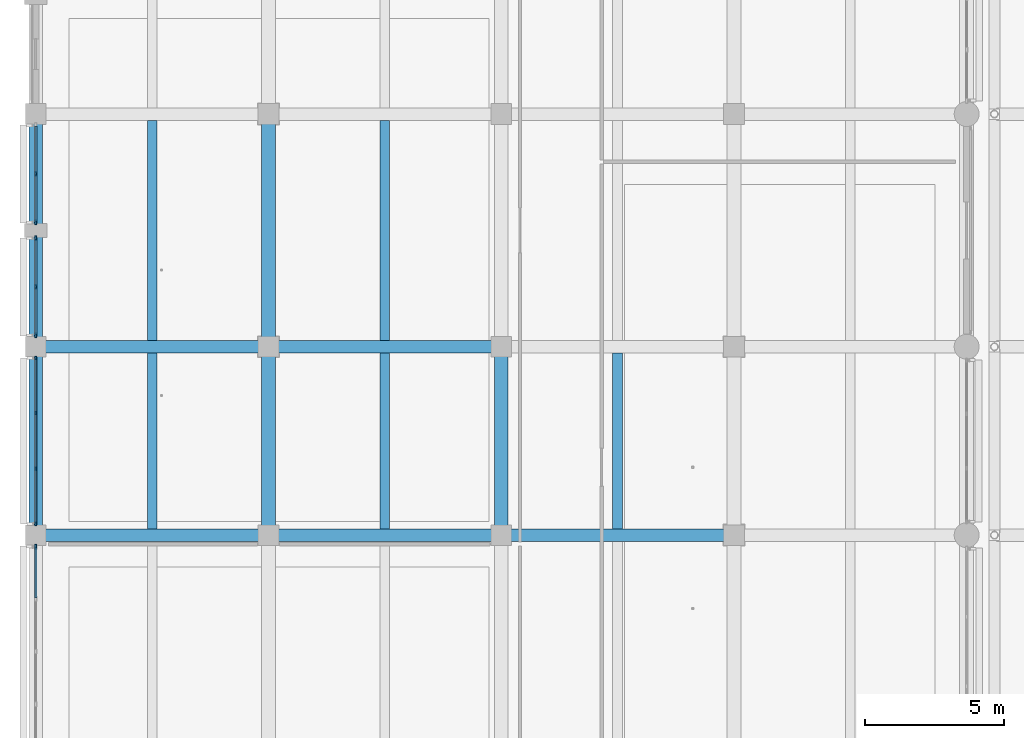
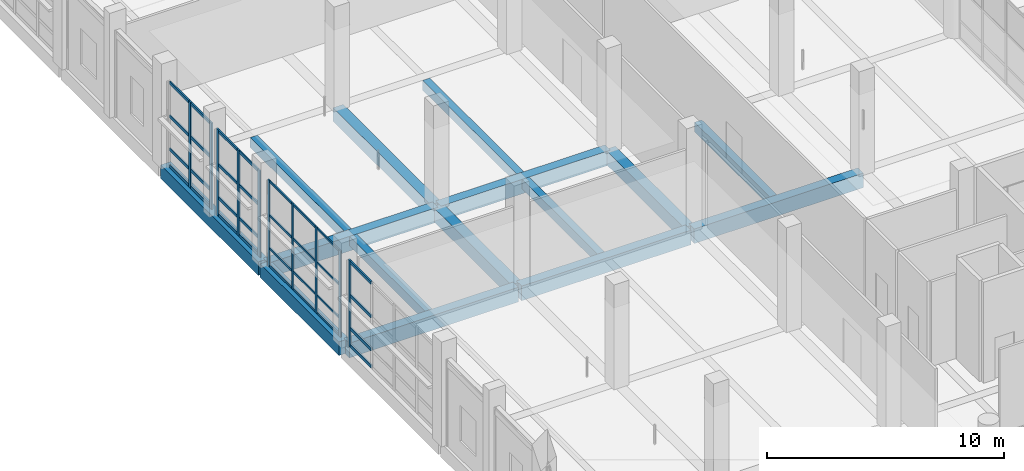
# One storey, part 23 of 140: 42 members, 15 beams, 4 elements without a shape of their own.
"""IFC4 building model written with IfcOpenShell, lengths in metres."""

from ifc_helpers import new_model, si_unit, direction, frame, origin, origin_2d, place, context, subcontext, project, spatial, rectangle, extrude, material, layer, layer_set, material_profile, profile_set, type_object, element, aggregate, save


model = new_model("IFC4")

# Units and contexts
model_context = context("Model", 3, precision=1e-05, world=origin(), true_north=direction((0.0, 1.0)))
body_context = subcontext(model_context, "Body", "Model", "MODEL_VIEW")
ifc_project = project(units=[si_unit("LENGTHUNIT", "METRE"), si_unit("AREAUNIT", "SQUARE_METRE"), si_unit("VOLUMEUNIT", "CUBIC_METRE"), si_unit("PLANEANGLEUNIT", "RADIAN"), si_unit("MASSUNIT", "GRAM", prefix="KILO")], contexts=[model_context])

# Site, building, storey
site_placement = place(None, origin())
site = spatial("IfcSite", under=ifc_project, at=site_placement, CompositionType="ELEMENT")
building_placement = place(site_placement, origin())
building = spatial("IfcBuilding", under=site, at=building_placement, Name="Telukmera Botanical Conservatory", CompositionType="ELEMENT")
storey_placement = place(building_placement, origin())
storey = spatial("IfcBuildingStorey", under=building, at=storey_placement, Name="L00", CompositionType="ELEMENT", Elevation=0.0)

# Beams
ifc_material_1 = material(Name="Concrete C40/50", Category="concrete")
ifc_material_profile_1 = material_profile(ifc_material_1, rectangle(XDim=0.5, YDim=0.699951171875, at=origin_2d()), Name="RC 500x700")
ifc_profile_set_1 = profile_set([ifc_material_profile_1], Name="Concrete C40/50")
beam_type_1 = type_object("IfcBeamType", Name="Beam_B14", PredefinedType="BEAM", material=ifc_profile_set_1)
beam_1_placement = place(storey_placement, frame((8.39990234375, 42.8798828125, -0.35009765625), z_axis=(0.0, 1.0, 0.0), x_axis=(-1.0, 0.0, 0.0)))
element("IfcBeam", 1, at=beam_1_placement, inside=storey, type_object=beam_type_1, Name="Visitor Wing Transverse Beam L00", PredefinedType="BEAM", context=body_context, shape_type="SweptSolid", body=[
    extrude(rectangle(XDim=0.5, YDim=0.699951171875, at=origin_2d()), origin(), (0.0, 0.0, 1.0), 6.64013671875),
])
beam_2_placement = place(storey_placement, frame((8.39990234375, 49.679931640625, -0.35009765625), z_axis=(0.0, 1.0, 0.0), x_axis=(-1.0, 0.0, 0.0)))
element("IfcBeam", 2, at=beam_2_placement, inside=storey, type_object=beam_type_1, Name="Visitor Wing Transverse Beam L00", PredefinedType="BEAM", context=body_context, shape_type="SweptSolid", body=[
    extrude(rectangle(XDim=0.5, YDim=0.699951171875, at=origin_2d()), origin(), (0.0, 0.0, 1.0), 8.239990234375),
])
beam_3_placement = place(storey_placement, frame((16.800048828125, 42.8798828125, -0.35009765625), z_axis=(0.0, 1.0, 0.0), x_axis=(-1.0, 0.0, 0.0)))
element("IfcBeam", 3, at=beam_3_placement, inside=storey, type_object=beam_type_1, Name="Visitor Wing Transverse Beam L00", PredefinedType="BEAM", context=body_context, shape_type="SweptSolid", body=[
    extrude(rectangle(XDim=0.5, YDim=0.699951171875, at=origin_2d()), origin(), (0.0, 0.0, 1.0), 6.64013671875),
])
beam_4_placement = place(storey_placement, frame((16.800048828125, 49.679931640625, -0.35009765625), z_axis=(0.0, 1.0, 0.0), x_axis=(-1.0, 0.0, 0.0)))
element("IfcBeam", 4, at=beam_4_placement, inside=storey, type_object=beam_type_1, Name="Visitor Wing Transverse Beam L00", PredefinedType="BEAM", context=body_context, shape_type="SweptSolid", body=[
    extrude(rectangle(XDim=0.5, YDim=0.699951171875, at=origin_2d()), origin(), (0.0, 0.0, 1.0), 8.239990234375),
])
beam_5_placement = place(storey_placement, frame((25.199951171875, 42.8798828125, -0.35009765625), z_axis=(0.0, 1.0, 0.0), x_axis=(-1.0, 0.0, 0.0)))
element("IfcBeam", 5, at=beam_5_placement, inside=storey, type_object=beam_type_1, Name="Visitor Wing Transverse Beam L00", PredefinedType="BEAM", context=body_context, shape_type="SweptSolid", body=[
    extrude(rectangle(XDim=0.5, YDim=0.699951171875, at=origin_2d()), origin(), (0.0, 0.0, 1.0), 6.64013671875),
])
ifc_material_profile_2 = material_profile(ifc_material_1, rectangle(XDim=0.35009765625, YDim=0.5, at=origin_2d()), Name="RC 350x500")
ifc_profile_set_2 = profile_set([ifc_material_profile_2], Name="Concrete C40/50")
beam_type_2 = type_object("IfcBeamType", Name="Beam_B22", PredefinedType="JOIST", material=ifc_profile_set_2)
beam_6_placement = place(storey_placement, frame((12.60009765625, 43.02490234375, -0.25), z_axis=(0.0, 1.0, 0.0), x_axis=(-1.0, 0.0, 0.0)))
element("IfcBeam", 6, at=beam_6_placement, inside=storey, type_object=beam_type_2, Name="Visitor Wing Floor Joist L00", PredefinedType="JOIST", context=body_context, shape_type="SweptSolid", body=[
    extrude(rectangle(XDim=0.35009765625, YDim=0.5, at=origin_2d()), origin(), (0.0, 0.0, 1.0), 6.35009765625),
])
beam_7_placement = place(storey_placement, frame((12.60009765625, 49.824951171875, -0.25), z_axis=(0.0, 1.0, 0.0), x_axis=(-1.0, 0.0, 0.0)))
element("IfcBeam", 7, at=beam_7_placement, inside=storey, type_object=beam_type_2, Name="Visitor Wing Floor Joist L00", PredefinedType="JOIST", context=body_context, shape_type="SweptSolid", body=[
    extrude(rectangle(XDim=0.35009765625, YDim=0.5, at=origin_2d()), origin(), (0.0, 0.0, 1.0), 7.949951171875),
])
beam_8_placement = place(storey_placement, frame((21.0, 43.02490234375, -0.25), z_axis=(0.0, 1.0, 0.0), x_axis=(-1.0, 0.0, 0.0)))
element("IfcBeam", 8, at=beam_8_placement, inside=storey, type_object=beam_type_2, Name="Visitor Wing Floor Joist L00", PredefinedType="JOIST", context=body_context, shape_type="SweptSolid", body=[
    extrude(rectangle(XDim=0.35009765625, YDim=0.5, at=origin_2d()), origin(), (0.0, 0.0, 1.0), 6.35009765625),
])
beam_9_placement = place(storey_placement, frame((21.0, 49.824951171875, -0.25), z_axis=(0.0, 1.0, 0.0), x_axis=(-1.0, 0.0, 0.0)))
element("IfcBeam", 9, at=beam_9_placement, inside=storey, type_object=beam_type_2, Name="Visitor Wing Floor Joist L00", PredefinedType="JOIST", context=body_context, shape_type="SweptSolid", body=[
    extrude(rectangle(XDim=0.35009765625, YDim=0.5, at=origin_2d()), origin(), (0.0, 0.0, 1.0), 7.949951171875),
])
beam_10_placement = place(storey_placement, frame((29.39990234375, 43.02490234375, -0.25), z_axis=(0.0, 1.0, 0.0), x_axis=(-1.0, 0.0, 0.0)))
element("IfcBeam", 10, at=beam_10_placement, inside=storey, type_object=beam_type_2, Name="Visitor Wing Floor Joist L00", PredefinedType="JOIST", context=body_context, shape_type="SweptSolid", body=[
    extrude(rectangle(XDim=0.35009765625, YDim=0.5, at=origin_2d()), origin(), (0.0, 0.0, 1.0), 6.35009765625),
])
ifc_material_profile_3 = material_profile(ifc_material_1, rectangle(XDim=0.449951171875, YDim=0.75, at=origin_2d()), Name="RC 450x750")
ifc_profile_set_3 = profile_set([ifc_material_profile_3], Name="Concrete C40/50")
beam_type_3 = type_object("IfcBeamType", Name="Beam_B6", PredefinedType="BEAM", material=ifc_profile_set_3)
beam_11_placement = place(storey_placement, frame((8.47998046875, 42.800048828125, -0.375), z_axis=(1.0, 0.0, 0.0), x_axis=(0.0, 1.0, 0.0)))
element("IfcBeam", 11, at=beam_11_placement, inside=storey, type_object=beam_type_3, Name="Visitor Wing Grid Beam L00", PredefinedType="BEAM", context=body_context, shape_type="SweptSolid", body=[
    extrude(rectangle(XDim=0.449951171875, YDim=0.75, at=origin_2d()), origin(), (0.0, 0.0, 1.0), 8.239990234375),
])
beam_12_placement = place(storey_placement, frame((16.8798828125, 42.800048828125, -0.375), z_axis=(1.0, 0.0, 0.0), x_axis=(0.0, 1.0, 0.0)))
element("IfcBeam", 12, at=beam_12_placement, inside=storey, type_object=beam_type_3, Name="Visitor Wing Grid Beam L00", PredefinedType="BEAM", context=body_context, shape_type="SweptSolid", body=[
    extrude(rectangle(XDim=0.449951171875, YDim=0.75, at=origin_2d()), origin(), (0.0, 0.0, 1.0), 8.240234375),
])
for number, where, z_axis, x_axis, name in (
    (13, (25.280029296875, 42.800048828125, -0.375), (1.0, 0.0, 0.0), (0.0, 1.0, 0.0), "Visitor Wing Grid Beam L00"),
    (14, (8.47998046875, 49.60009765625, -0.375), (1.0, 0.0, 0.0), (0.0, 1.0, 0.0), "Visitor Wing Grid Beam L00"),
):
    element("IfcBeam", number, at=place(storey_placement, frame(where, z_axis=z_axis, x_axis=x_axis)), inside=storey, type_object=beam_type_3, Name=name, PredefinedType="BEAM", context=body_context, shape_type="SweptSolid", body=[
        extrude(rectangle(XDim=0.449951171875, YDim=0.75, at=origin_2d()), origin(), (0.0, 0.0, 1.0), 8.239990234375),
    ])
beam_13_placement = place(storey_placement, frame((16.8798828125, 49.60009765625, -0.375), z_axis=(1.0, 0.0, 0.0), x_axis=(0.0, 1.0, 0.0)))
element("IfcBeam", 15, at=beam_13_placement, inside=storey, type_object=beam_type_3, Name="Visitor Wing Grid Beam L00", PredefinedType="BEAM", context=body_context, shape_type="SweptSolid", body=[
    extrude(rectangle(XDim=0.449951171875, YDim=0.75, at=origin_2d()), origin(), (0.0, 0.0, 1.0), 8.240234375),
])

# Curtain wall, members
ifc_material_2 = material(Name="Anodised aluminium 6063-T6", Category="aluminium")
ifc_layer_1 = layer(ifc_material_2, 0.179931640625)
ifc_layer_set_1 = layer_set([ifc_layer_1], Name="Anodised aluminium 6063-T6")
curtain_wall_type_1 = type_object("IfcCurtainWallType", Name="Visitor Courtyard Narrow Bay Curtain Wall", PredefinedType="USERDEFINED", material=ifc_layer_set_1)
curtain_wall_1_placement = place(storey_placement, origin())
curtain_wall_1 = element("IfcCurtainWall", 16, at=curtain_wall_1_placement, inside=storey, type_object=curtain_wall_type_1, Name="Unitised Curtain Wall CW10 V3:L00:W4", ObjectType="UNITISED CURTAIN WALL", PredefinedType="USERDEFINED")
ifc_material_profile_4 = material_profile(ifc_material_2, rectangle(XDim=0.06005859375, YDim=0.139892578125, at=origin_2d()), Name="ALU MULL 60x140")
ifc_profile_set_4 = profile_set([ifc_material_profile_4], Name="Anodised aluminium 6063-T6")
member_type_1 = type_object("IfcMemberType", Name="Curtain Wall Extruded Mullion 60x140", PredefinedType="MULLION", material=ifc_profile_set_4)
member_1_placement = place(storey_placement, frame((8.39990234375, 43.20703125, 0.0), z_axis=(0.0, 0.0, 1.0), x_axis=(-1.0, 0.0, 0.0)))
member_1 = element("IfcMember", 17, at=member_1_placement, type_object=member_type_1, Name="CW10 mullion 1", PredefinedType="MULLION", context=body_context, shape_type="SweptSolid", body=[
    extrude(rectangle(XDim=0.06005859375, YDim=0.139892578125, at=origin_2d()), origin(), (0.0, 0.0, 1.0), 4.449951171875),
])
member_2_placement = place(storey_placement, frame((8.39990234375, 45.1923828125, 0.0), z_axis=(0.0, 0.0, 1.0), x_axis=(-1.0, 0.0, 0.0)))
member_2 = element("IfcMember", 18, at=member_2_placement, type_object=member_type_1, Name="CW10 mullion 2", PredefinedType="MULLION", context=body_context, shape_type="SweptSolid", body=[
    extrude(rectangle(XDim=0.06005859375, YDim=0.139892578125, at=origin_2d()), origin(), (0.0, 0.0, 1.0), 4.449951171875),
])
member_3_placement = place(storey_placement, frame((8.39990234375, 47.207763671875, 0.0), z_axis=(0.0, 0.0, 1.0), x_axis=(-1.0, 0.0, 0.0)))
member_3 = element("IfcMember", 19, at=member_3_placement, type_object=member_type_1, Name="CW10 mullion 3", PredefinedType="MULLION", context=body_context, shape_type="SweptSolid", body=[
    extrude(rectangle(XDim=0.06005859375, YDim=0.139892578125, at=origin_2d()), origin(), (0.0, 0.0, 1.0), 4.449951171875),
])
member_4_placement = place(storey_placement, frame((8.39990234375, 49.193115234375, 0.0), z_axis=(0.0, 0.0, 1.0), x_axis=(-1.0, 0.0, 0.0)))
member_4 = element("IfcMember", 20, at=member_4_placement, type_object=member_type_1, Name="CW10 mullion 4", PredefinedType="MULLION", context=body_context, shape_type="SweptSolid", body=[
    extrude(rectangle(XDim=0.06005859375, YDim=0.139892578125, at=origin_2d()), origin(), (0.0, 0.0, 1.0), 4.449951171875),
])

# Curtain wall, member
ifc_layer_2 = layer(ifc_material_2, 0.179931640625)
ifc_layer_set_2 = layer_set([ifc_layer_2], Name="Anodised aluminium 6063-T6")
curtain_wall_type_2 = type_object("IfcCurtainWallType", Name="Visitor Colonnade Ground Curtain Wall 1800 Mod", PredefinedType="USERDEFINED", material=ifc_layer_set_2)
curtain_wall_2_placement = place(storey_placement, origin())
curtain_wall_2 = element("IfcCurtainWall", 21, at=curtain_wall_2_placement, inside=storey, type_object=curtain_wall_type_2, Name="Unitised Curtain Wall CW06 V3:L00:W3", ObjectType="UNITISED CURTAIN WALL", PredefinedType="USERDEFINED")
ifc_material_profile_5 = material_profile(ifc_material_2, rectangle(XDim=0.070068359375, YDim=0.179931640625, at=origin_2d()), Name="ALU MULL 70x180")
ifc_profile_set_5 = profile_set([ifc_material_profile_5], Name="Anodised aluminium 6063-T6")
member_type_2 = type_object("IfcMemberType", Name="Curtain Wall Extruded Mullion 70x180", PredefinedType="MULLION", material=ifc_profile_set_5)
member_5_placement = place(storey_placement, frame((8.39990234375, 42.387939453125, 0.0), z_axis=(0.0, 0.0, 1.0), x_axis=(-1.0, 0.0, 0.0)))
member_5 = element("IfcMember", 22, at=member_5_placement, type_object=member_type_2, Name="CW06 mullion 5", PredefinedType="MULLION", context=body_context, shape_type="SweptSolid", body=[
    extrude(rectangle(XDim=0.070068359375, YDim=0.179931640625, at=origin_2d()), origin(), (0.0, 0.0, 1.0), 4.449951171875),
])

# Curtain wall, members
curtain_wall_3_placement = place(storey_placement, origin())
curtain_wall_3 = element("IfcCurtainWall", 23, at=curtain_wall_3_placement, inside=storey, type_object=curtain_wall_type_2, Name="Unitised Curtain Wall CW06 V3:L00:W5A", ObjectType="UNITISED CURTAIN WALL", PredefinedType="USERDEFINED")
member_6_placement = place(storey_placement, frame((8.39990234375, 50.011962890625, 0.0), z_axis=(0.0, 0.0, 1.0), x_axis=(-1.0, 0.0, 0.0)))
member_6 = element("IfcMember", 24, at=member_6_placement, type_object=member_type_2, Name="CW06 mullion 1", PredefinedType="MULLION", context=body_context, shape_type="SweptSolid", body=[
    extrude(rectangle(XDim=0.070068359375, YDim=0.179931640625, at=origin_2d()), origin(), (0.0, 0.0, 1.0), 4.449951171875),
])
member_7_placement = place(storey_placement, frame((8.39990234375, 51.762451171875, 0.0), z_axis=(0.0, 0.0, 1.0), x_axis=(-1.0, 0.0, 0.0)))
member_7 = element("IfcMember", 25, at=member_7_placement, type_object=member_type_2, Name="CW06 mullion 2", PredefinedType="MULLION", context=body_context, shape_type="SweptSolid", body=[
    extrude(rectangle(XDim=0.070068359375, YDim=0.179931640625, at=origin_2d()), origin(), (0.0, 0.0, 1.0), 4.449951171875),
])
member_8_placement = place(storey_placement, frame((8.39990234375, 53.512939453125, 0.0), z_axis=(0.0, 0.0, 1.0), x_axis=(-1.0, 0.0, 0.0)))
member_8 = element("IfcMember", 26, at=member_8_placement, type_object=member_type_2, Name="CW06 mullion 3", PredefinedType="MULLION", context=body_context, shape_type="SweptSolid", body=[
    extrude(rectangle(XDim=0.070068359375, YDim=0.179931640625, at=origin_2d()), origin(), (0.0, 0.0, 1.0), 4.449951171875),
])

curtain_wall_4_placement = place(storey_placement, origin())
curtain_wall_4 = element("IfcCurtainWall", 27, at=curtain_wall_4_placement, inside=storey, type_object=curtain_wall_type_2, Name="Unitised Curtain Wall CW06 V3:L00:W5B", ObjectType="UNITISED CURTAIN WALL", PredefinedType="USERDEFINED")
member_9_placement = place(storey_placement, frame((8.39990234375, 54.0869140625, 0.0), z_axis=(0.0, 0.0, 1.0), x_axis=(-1.0, 0.0, 0.0)))
member_9 = element("IfcMember", 28, at=member_9_placement, type_object=member_type_2, Name="CW06 mullion 1", PredefinedType="MULLION", context=body_context, shape_type="SweptSolid", body=[
    extrude(rectangle(XDim=0.070068359375, YDim=0.179931640625, at=origin_2d()), origin(), (0.0, 0.0, 1.0), 4.449951171875),
])
member_10_placement = place(storey_placement, frame((8.39990234375, 55.83740234375, 0.0), z_axis=(0.0, 0.0, 1.0), x_axis=(-1.0, 0.0, 0.0)))
member_10 = element("IfcMember", 29, at=member_10_placement, type_object=member_type_2, Name="CW06 mullion 2", PredefinedType="MULLION", context=body_context, shape_type="SweptSolid", body=[
    extrude(rectangle(XDim=0.070068359375, YDim=0.179931640625, at=origin_2d()), origin(), (0.0, 0.0, 1.0), 4.449951171875),
])

# Member
ifc_material_profile_6 = material_profile(ifc_material_2, rectangle(XDim=0.06005859375, YDim=0.110107421875, at=origin_2d()), Name="ALU TRAN 60x110")
ifc_profile_set_6 = profile_set([ifc_material_profile_6], Name="Anodised aluminium 6063-T6")
member_type_3 = type_object("IfcMemberType", Name="Curtain Wall Extruded Transom 60x110", PredefinedType="USERDEFINED", material=ifc_profile_set_6)
member_11_placement = place(storey_placement, frame((8.39990234375, 43.237060546875, 0.054931640625), z_axis=(0.0, 1.0, 0.0), x_axis=(-1.0, 0.0, 0.0)))
member_11 = element("IfcMember", 30, at=member_11_placement, type_object=member_type_3, Name="CW10 transom 1.1", ObjectType="TRANSOM", PredefinedType="USERDEFINED", context=body_context, shape_type="SweptSolid", body=[
    extrude(rectangle(XDim=0.06005859375, YDim=0.110107421875, at=origin_2d()), origin(), (0.0, 0.0, 1.0), 1.92529296875),
])

member_12_placement = place(storey_placement, frame((8.39990234375, 43.237060546875, 0.949951171875), z_axis=(0.0, 1.0, 0.0), x_axis=(-1.0, 0.0, 0.0)))
member_12 = element("IfcMember", 31, at=member_12_placement, type_object=member_type_3, Name="CW10 transom 1.2", ObjectType="TRANSOM", PredefinedType="USERDEFINED", context=body_context, shape_type="SweptSolid", body=[
    extrude(rectangle(XDim=0.06005859375, YDim=0.110107421875, at=origin_2d()), origin(), (0.0, 0.0, 1.0), 1.92529296875),
])

member_13_placement = place(storey_placement, frame((8.39990234375, 43.237060546875, 2.64990234375), z_axis=(0.0, 1.0, 0.0), x_axis=(-1.0, 0.0, 0.0)))
member_13 = element("IfcMember", 32, at=member_13_placement, type_object=member_type_3, Name="CW10 transom 1.3", ObjectType="TRANSOM", PredefinedType="USERDEFINED", context=body_context, shape_type="SweptSolid", body=[
    extrude(rectangle(XDim=0.06005859375, YDim=0.110107421875, at=origin_2d()), origin(), (0.0, 0.0, 1.0), 1.92529296875),
])

member_14_placement = place(storey_placement, frame((8.39990234375, 43.237060546875, 4.39501953125), z_axis=(0.0, 1.0, 0.0), x_axis=(-1.0, 0.0, 0.0)))
member_14 = element("IfcMember", 33, at=member_14_placement, type_object=member_type_3, Name="CW10 transom 1.4", ObjectType="TRANSOM", PredefinedType="USERDEFINED", context=body_context, shape_type="SweptSolid", body=[
    extrude(rectangle(XDim=0.06005859375, YDim=0.110107421875, at=origin_2d()), origin(), (0.0, 0.0, 1.0), 1.92529296875),
])

member_15_placement = place(storey_placement, frame((8.39990234375, 45.222412109375, 0.054931640625), z_axis=(0.0, 1.0, 0.0), x_axis=(-1.0, 0.0, 0.0)))
member_15 = element("IfcMember", 34, at=member_15_placement, type_object=member_type_3, Name="CW10 transom 2.1", ObjectType="TRANSOM", PredefinedType="USERDEFINED", context=body_context, shape_type="SweptSolid", body=[
    extrude(rectangle(XDim=0.06005859375, YDim=0.110107421875, at=origin_2d()), origin(), (0.0, 0.0, 1.0), 1.955322265625),
])

member_16_placement = place(storey_placement, frame((8.39990234375, 45.222412109375, 0.949951171875), z_axis=(0.0, 1.0, 0.0), x_axis=(-1.0, 0.0, 0.0)))
member_16 = element("IfcMember", 35, at=member_16_placement, type_object=member_type_3, Name="CW10 transom 2.2", ObjectType="TRANSOM", PredefinedType="USERDEFINED", context=body_context, shape_type="SweptSolid", body=[
    extrude(rectangle(XDim=0.06005859375, YDim=0.110107421875, at=origin_2d()), origin(), (0.0, 0.0, 1.0), 1.955322265625),
])

member_17_placement = place(storey_placement, frame((8.39990234375, 45.222412109375, 2.64990234375), z_axis=(0.0, 1.0, 0.0), x_axis=(-1.0, 0.0, 0.0)))
member_17 = element("IfcMember", 36, at=member_17_placement, type_object=member_type_3, Name="CW10 transom 2.3", ObjectType="TRANSOM", PredefinedType="USERDEFINED", context=body_context, shape_type="SweptSolid", body=[
    extrude(rectangle(XDim=0.06005859375, YDim=0.110107421875, at=origin_2d()), origin(), (0.0, 0.0, 1.0), 1.955322265625),
])

member_18_placement = place(storey_placement, frame((8.39990234375, 45.222412109375, 4.39501953125), z_axis=(0.0, 1.0, 0.0), x_axis=(-1.0, 0.0, 0.0)))
member_18 = element("IfcMember", 37, at=member_18_placement, type_object=member_type_3, Name="CW10 transom 2.4", ObjectType="TRANSOM", PredefinedType="USERDEFINED", context=body_context, shape_type="SweptSolid", body=[
    extrude(rectangle(XDim=0.06005859375, YDim=0.110107421875, at=origin_2d()), origin(), (0.0, 0.0, 1.0), 1.955322265625),
])

member_19_placement = place(storey_placement, frame((8.39990234375, 47.237548828125, 0.054931640625), z_axis=(0.0, 1.0, 0.0), x_axis=(-1.0, 0.0, 0.0)))
member_19 = element("IfcMember", 38, at=member_19_placement, type_object=member_type_3, Name="CW10 transom 3.1", ObjectType="TRANSOM", PredefinedType="USERDEFINED", context=body_context, shape_type="SweptSolid", body=[
    extrude(rectangle(XDim=0.06005859375, YDim=0.110107421875, at=origin_2d()), origin(), (0.0, 0.0, 1.0), 1.925537109375),
])

member_20_placement = place(storey_placement, frame((8.39990234375, 47.237548828125, 0.949951171875), z_axis=(0.0, 1.0, 0.0), x_axis=(-1.0, 0.0, 0.0)))
member_20 = element("IfcMember", 39, at=member_20_placement, type_object=member_type_3, Name="CW10 transom 3.2", ObjectType="TRANSOM", PredefinedType="USERDEFINED", context=body_context, shape_type="SweptSolid", body=[
    extrude(rectangle(XDim=0.06005859375, YDim=0.110107421875, at=origin_2d()), origin(), (0.0, 0.0, 1.0), 1.925537109375),
])

member_21_placement = place(storey_placement, frame((8.39990234375, 47.237548828125, 2.64990234375), z_axis=(0.0, 1.0, 0.0), x_axis=(-1.0, 0.0, 0.0)))
member_21 = element("IfcMember", 40, at=member_21_placement, type_object=member_type_3, Name="CW10 transom 3.3", ObjectType="TRANSOM", PredefinedType="USERDEFINED", context=body_context, shape_type="SweptSolid", body=[
    extrude(rectangle(XDim=0.06005859375, YDim=0.110107421875, at=origin_2d()), origin(), (0.0, 0.0, 1.0), 1.925537109375),
])

member_22_placement = place(storey_placement, frame((8.39990234375, 47.237548828125, 4.39501953125), z_axis=(0.0, 1.0, 0.0), x_axis=(-1.0, 0.0, 0.0)))
member_22 = element("IfcMember", 41, at=member_22_placement, type_object=member_type_3, Name="CW10 transom 3.4", ObjectType="TRANSOM", PredefinedType="USERDEFINED", context=body_context, shape_type="SweptSolid", body=[
    extrude(rectangle(XDim=0.06005859375, YDim=0.110107421875, at=origin_2d()), origin(), (0.0, 0.0, 1.0), 1.925537109375),
])

aggregate(curtain_wall_1, [member_1, member_2, member_3, member_4, member_11, member_12, member_13, member_14, member_15, member_16, member_17, member_18, member_19, member_20, member_21, member_22])

ifc_material_profile_7 = material_profile(ifc_material_2, rectangle(XDim=0.070068359375, YDim=0.14990234375, at=origin_2d()), Name="ALU TRAN 70x150")
ifc_profile_set_7 = profile_set([ifc_material_profile_7], Name="Anodised aluminium 6063-T6")
member_type_4 = type_object("IfcMemberType", Name="Curtain Wall Extruded Transom 70x150", PredefinedType="USERDEFINED", material=ifc_profile_set_7)
member_23_placement = place(storey_placement, frame((8.39990234375, 40.54638671875, 0.074951171875), z_axis=(0.0, 1.0, 0.0), x_axis=(-1.0, 0.0, 0.0)))
member_23 = element("IfcMember", 42, at=member_23_placement, type_object=member_type_4, Name="CW06 transom 4.1", ObjectType="TRANSOM", PredefinedType="USERDEFINED", context=body_context, shape_type="SweptSolid", body=[
    extrude(rectangle(XDim=0.070068359375, YDim=0.14990234375, at=origin_2d()), origin(), (0.0, 0.0, 1.0), 1.806640625),
])

member_24_placement = place(storey_placement, frame((8.39990234375, 40.54638671875, 0.949951171875), z_axis=(0.0, 1.0, 0.0), x_axis=(-1.0, 0.0, 0.0)))
member_24 = element("IfcMember", 43, at=member_24_placement, type_object=member_type_4, Name="CW06 transom 4.2", ObjectType="TRANSOM", PredefinedType="USERDEFINED", context=body_context, shape_type="SweptSolid", body=[
    extrude(rectangle(XDim=0.070068359375, YDim=0.14990234375, at=origin_2d()), origin(), (0.0, 0.0, 1.0), 1.806640625),
])

member_25_placement = place(storey_placement, frame((8.39990234375, 40.54638671875, 2.64990234375), z_axis=(0.0, 1.0, 0.0), x_axis=(-1.0, 0.0, 0.0)))
member_25 = element("IfcMember", 44, at=member_25_placement, type_object=member_type_4, Name="CW06 transom 4.3", ObjectType="TRANSOM", PredefinedType="USERDEFINED", context=body_context, shape_type="SweptSolid", body=[
    extrude(rectangle(XDim=0.070068359375, YDim=0.14990234375, at=origin_2d()), origin(), (0.0, 0.0, 1.0), 1.806640625),
])

member_26_placement = place(storey_placement, frame((8.39990234375, 40.54638671875, 4.375), z_axis=(0.0, 1.0, 0.0), x_axis=(-1.0, 0.0, 0.0)))
member_26 = element("IfcMember", 45, at=member_26_placement, type_object=member_type_4, Name="CW06 transom 4.4", ObjectType="TRANSOM", PredefinedType="USERDEFINED", context=body_context, shape_type="SweptSolid", body=[
    extrude(rectangle(XDim=0.070068359375, YDim=0.14990234375, at=origin_2d()), origin(), (0.0, 0.0, 1.0), 1.806640625),
])

aggregate(curtain_wall_2, [member_5, member_23, member_24, member_25, member_26])

member_27_placement = place(storey_placement, frame((8.39990234375, 50.047119140625, 0.074951171875), z_axis=(0.0, 1.0, 0.0), x_axis=(-1.0, 0.0, 0.0)))
member_27 = element("IfcMember", 46, at=member_27_placement, type_object=member_type_4, Name="CW06 transom 1.1", ObjectType="TRANSOM", PredefinedType="USERDEFINED", context=body_context, shape_type="SweptSolid", body=[
    extrude(rectangle(XDim=0.070068359375, YDim=0.14990234375, at=origin_2d()), origin(), (0.0, 0.0, 1.0), 1.680419921875),
])

member_28_placement = place(storey_placement, frame((8.39990234375, 50.047119140625, 0.949951171875), z_axis=(0.0, 1.0, 0.0), x_axis=(-1.0, 0.0, 0.0)))
member_28 = element("IfcMember", 47, at=member_28_placement, type_object=member_type_4, Name="CW06 transom 1.2", ObjectType="TRANSOM", PredefinedType="USERDEFINED", context=body_context, shape_type="SweptSolid", body=[
    extrude(rectangle(XDim=0.070068359375, YDim=0.14990234375, at=origin_2d()), origin(), (0.0, 0.0, 1.0), 1.680419921875),
])

member_29_placement = place(storey_placement, frame((8.39990234375, 50.047119140625, 2.64990234375), z_axis=(0.0, 1.0, 0.0), x_axis=(-1.0, 0.0, 0.0)))
member_29 = element("IfcMember", 48, at=member_29_placement, type_object=member_type_4, Name="CW06 transom 1.3", ObjectType="TRANSOM", PredefinedType="USERDEFINED", context=body_context, shape_type="SweptSolid", body=[
    extrude(rectangle(XDim=0.070068359375, YDim=0.14990234375, at=origin_2d()), origin(), (0.0, 0.0, 1.0), 1.680419921875),
])

member_30_placement = place(storey_placement, frame((8.39990234375, 50.047119140625, 4.375), z_axis=(0.0, 1.0, 0.0), x_axis=(-1.0, 0.0, 0.0)))
member_30 = element("IfcMember", 49, at=member_30_placement, type_object=member_type_4, Name="CW06 transom 1.4", ObjectType="TRANSOM", PredefinedType="USERDEFINED", context=body_context, shape_type="SweptSolid", body=[
    extrude(rectangle(XDim=0.070068359375, YDim=0.14990234375, at=origin_2d()), origin(), (0.0, 0.0, 1.0), 1.680419921875),
])

member_31_placement = place(storey_placement, frame((8.39990234375, 51.797607421875, 0.074951171875), z_axis=(0.0, 1.0, 0.0), x_axis=(-1.0, 0.0, 0.0)))
member_31 = element("IfcMember", 50, at=member_31_placement, type_object=member_type_4, Name="CW06 transom 2.1", ObjectType="TRANSOM", PredefinedType="USERDEFINED", context=body_context, shape_type="SweptSolid", body=[
    extrude(rectangle(XDim=0.070068359375, YDim=0.14990234375, at=origin_2d()), origin(), (0.0, 0.0, 1.0), 1.680419921875),
])

member_32_placement = place(storey_placement, frame((8.39990234375, 51.797607421875, 0.949951171875), z_axis=(0.0, 1.0, 0.0), x_axis=(-1.0, 0.0, 0.0)))
member_32 = element("IfcMember", 51, at=member_32_placement, type_object=member_type_4, Name="CW06 transom 2.2", ObjectType="TRANSOM", PredefinedType="USERDEFINED", context=body_context, shape_type="SweptSolid", body=[
    extrude(rectangle(XDim=0.070068359375, YDim=0.14990234375, at=origin_2d()), origin(), (0.0, 0.0, 1.0), 1.680419921875),
])

member_33_placement = place(storey_placement, frame((8.39990234375, 51.797607421875, 2.64990234375), z_axis=(0.0, 1.0, 0.0), x_axis=(-1.0, 0.0, 0.0)))
member_33 = element("IfcMember", 52, at=member_33_placement, type_object=member_type_4, Name="CW06 transom 2.3", ObjectType="TRANSOM", PredefinedType="USERDEFINED", context=body_context, shape_type="SweptSolid", body=[
    extrude(rectangle(XDim=0.070068359375, YDim=0.14990234375, at=origin_2d()), origin(), (0.0, 0.0, 1.0), 1.680419921875),
])

member_34_placement = place(storey_placement, frame((8.39990234375, 51.797607421875, 4.375), z_axis=(0.0, 1.0, 0.0), x_axis=(-1.0, 0.0, 0.0)))
member_34 = element("IfcMember", 53, at=member_34_placement, type_object=member_type_4, Name="CW06 transom 2.4", ObjectType="TRANSOM", PredefinedType="USERDEFINED", context=body_context, shape_type="SweptSolid", body=[
    extrude(rectangle(XDim=0.070068359375, YDim=0.14990234375, at=origin_2d()), origin(), (0.0, 0.0, 1.0), 1.680419921875),
])

aggregate(curtain_wall_3, [member_6, member_7, member_8, member_27, member_28, member_29, member_30, member_31, member_32, member_33, member_34])

member_35_placement = place(storey_placement, frame((8.39990234375, 54.1220703125, 0.074951171875), z_axis=(0.0, 1.0, 0.0), x_axis=(-1.0, 0.0, 0.0)))
member_35 = element("IfcMember", 54, at=member_35_placement, type_object=member_type_4, Name="CW06 transom 1.1", ObjectType="TRANSOM", PredefinedType="USERDEFINED", context=body_context, shape_type="SweptSolid", body=[
    extrude(rectangle(XDim=0.070068359375, YDim=0.14990234375, at=origin_2d()), origin(), (0.0, 0.0, 1.0), 1.680419921875),
])

member_36_placement = place(storey_placement, frame((8.39990234375, 54.1220703125, 0.949951171875), z_axis=(0.0, 1.0, 0.0), x_axis=(-1.0, 0.0, 0.0)))
member_36 = element("IfcMember", 55, at=member_36_placement, type_object=member_type_4, Name="CW06 transom 1.2", ObjectType="TRANSOM", PredefinedType="USERDEFINED", context=body_context, shape_type="SweptSolid", body=[
    extrude(rectangle(XDim=0.070068359375, YDim=0.14990234375, at=origin_2d()), origin(), (0.0, 0.0, 1.0), 1.680419921875),
])

member_37_placement = place(storey_placement, frame((8.39990234375, 54.1220703125, 2.64990234375), z_axis=(0.0, 1.0, 0.0), x_axis=(-1.0, 0.0, 0.0)))
member_37 = element("IfcMember", 56, at=member_37_placement, type_object=member_type_4, Name="CW06 transom 1.3", ObjectType="TRANSOM", PredefinedType="USERDEFINED", context=body_context, shape_type="SweptSolid", body=[
    extrude(rectangle(XDim=0.070068359375, YDim=0.14990234375, at=origin_2d()), origin(), (0.0, 0.0, 1.0), 1.680419921875),
])

member_38_placement = place(storey_placement, frame((8.39990234375, 54.1220703125, 4.375), z_axis=(0.0, 1.0, 0.0), x_axis=(-1.0, 0.0, 0.0)))
member_38 = element("IfcMember", 57, at=member_38_placement, type_object=member_type_4, Name="CW06 transom 1.4", ObjectType="TRANSOM", PredefinedType="USERDEFINED", context=body_context, shape_type="SweptSolid", body=[
    extrude(rectangle(XDim=0.070068359375, YDim=0.14990234375, at=origin_2d()), origin(), (0.0, 0.0, 1.0), 1.680419921875),
])

member_39_placement = place(storey_placement, frame((8.39990234375, 55.87255859375, 0.074951171875), z_axis=(0.0, 1.0, 0.0), x_axis=(-1.0, 0.0, 0.0)))
member_39 = element("IfcMember", 58, at=member_39_placement, type_object=member_type_4, Name="CW06 transom 2.1", ObjectType="TRANSOM", PredefinedType="USERDEFINED", context=body_context, shape_type="SweptSolid", body=[
    extrude(rectangle(XDim=0.070068359375, YDim=0.14990234375, at=origin_2d()), origin(), (0.0, 0.0, 1.0), 1.680419921875),
])

member_40_placement = place(storey_placement, frame((8.39990234375, 55.87255859375, 0.949951171875), z_axis=(0.0, 1.0, 0.0), x_axis=(-1.0, 0.0, 0.0)))
member_40 = element("IfcMember", 59, at=member_40_placement, type_object=member_type_4, Name="CW06 transom 2.2", ObjectType="TRANSOM", PredefinedType="USERDEFINED", context=body_context, shape_type="SweptSolid", body=[
    extrude(rectangle(XDim=0.070068359375, YDim=0.14990234375, at=origin_2d()), origin(), (0.0, 0.0, 1.0), 1.680419921875),
])

member_41_placement = place(storey_placement, frame((8.39990234375, 55.87255859375, 2.64990234375), z_axis=(0.0, 1.0, 0.0), x_axis=(-1.0, 0.0, 0.0)))
member_41 = element("IfcMember", 60, at=member_41_placement, type_object=member_type_4, Name="CW06 transom 2.3", ObjectType="TRANSOM", PredefinedType="USERDEFINED", context=body_context, shape_type="SweptSolid", body=[
    extrude(rectangle(XDim=0.070068359375, YDim=0.14990234375, at=origin_2d()), origin(), (0.0, 0.0, 1.0), 1.680419921875),
])

member_42_placement = place(storey_placement, frame((8.39990234375, 55.87255859375, 4.375), z_axis=(0.0, 1.0, 0.0), x_axis=(-1.0, 0.0, 0.0)))
member_42 = element("IfcMember", 61, at=member_42_placement, type_object=member_type_4, Name="CW06 transom 2.4", ObjectType="TRANSOM", PredefinedType="USERDEFINED", context=body_context, shape_type="SweptSolid", body=[
    extrude(rectangle(XDim=0.070068359375, YDim=0.14990234375, at=origin_2d()), origin(), (0.0, 0.0, 1.0), 1.680419921875),
])

aggregate(curtain_wall_4, [member_9, member_10, member_35, member_36, member_37, member_38, member_39, member_40, member_41, member_42])

save(model, "model.ifc")
